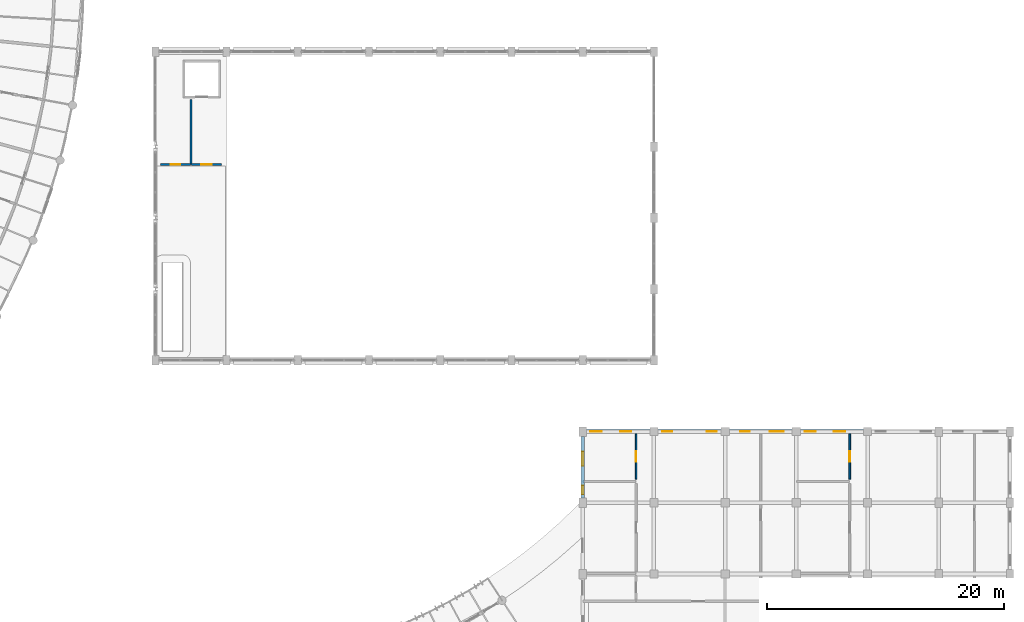
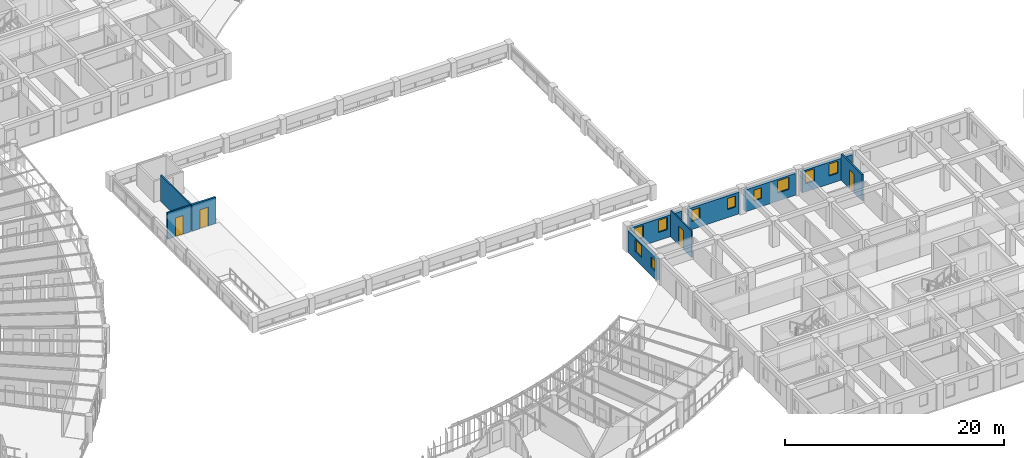
# One storey, part 98 of 137: 10 walls, 10 windows, 4 doors, 14 openings.
"""IFC4 building model written with IfcOpenShell, lengths in metres."""

import ifcopenshell
import ifcopenshell.guid

model = None  # the IFC model being written
_history = None  # IfcOwnerHistory: only IFC2X3 demands one
_inside = {}  # id of a spatial element -> (the spatial element, [elements in it])
_under = {}  # id of a project, library or spatial element -> (it, [spatial elements below it])
_declared = {}  # id of a project -> (the project, [libraries it declares])
_typed = {}  # id of a type object -> (the type object, [elements of that type])
_made_of = {}  # id of a material, layer set ... -> (it, [elements and type objects made of it])


def new_model(schema):
    """Start an empty IFC model of exactly this schema.

    Asked for "IFC4X3", IfcOpenShell would pick the latest addendum, in which some entities
    have other attributes; the version numbers below select the first issue.
    IFC2X3 requires an IfcOwnerHistory on every rooted entity: one is made here for all.
    """
    global model, _history
    if schema == "IFC4X3":
        model = ifcopenshell.file(schema_version=(4, 3, 0, 0))
    else:
        model = ifcopenshell.file(schema=schema)
    _inside.clear()
    _under.clear()
    _declared.clear()
    _typed.clear()
    _made_of.clear()
    _history = None
    if model.schema == "IFC2X3":
        org = make("IfcOrganization", Name="unknown")
        user = make(
            "IfcPersonAndOrganization",
            ThePerson=make("IfcPerson", FamilyName="unknown"),
            TheOrganization=org,
        )
        app = make(
            "IfcApplication",
            ApplicationDeveloper=org,
            Version="unknown",
            ApplicationFullName="unknown",
            ApplicationIdentifier="unknown",
        )
        _history = make(
            "IfcOwnerHistory",
            OwningUser=user,
            OwningApplication=app,
            ChangeAction="ADDED",
            CreationDate=0,
        )
    return model


def make(cls, **values):
    """One entity of the class cls with the attributes given. An attribute that is None is left unset."""
    return model.create_entity(
        cls, **{name: value for name, value in values.items() if value is not None}
    )


def rooted(cls, **values):
    """An entity with a GlobalId (a new one), such as an element, a storey or a relation."""
    return make(cls, GlobalId=ifcopenshell.guid.new(), OwnerHistory=_history, **values)


def si_unit(unit_type, name, prefix=None):
    """IfcSIUnit, for example si_unit("LENGTHUNIT", "METRE", prefix="MILLI")."""
    return make("IfcSIUnit", UnitType=unit_type, Prefix=prefix, Name=name)


def assignment(units):
    """IfcUnitAssignment: the units of a project."""
    return None if units is None else make("IfcUnitAssignment", Units=units)


def point(xyz):
    """IfcCartesianPoint."""
    return None if xyz is None else make("IfcCartesianPoint", Coordinates=xyz)


def direction(xyz):
    """IfcDirection."""
    return None if xyz is None else make("IfcDirection", DirectionRatios=xyz)


def frame(location, z_axis=None, x_axis=None):
    """IfcAxis2Placement3D, a coordinate frame: its origin and axes. An axis left out is left unset."""
    return make(
        "IfcAxis2Placement3D",
        Location=point(location),
        Axis=direction(z_axis),
        RefDirection=direction(x_axis),
    )


def frame_2d(location, x_axis=None):
    """IfcAxis2Placement2D, a coordinate frame in the plane: its origin and x axis."""
    return make(
        "IfcAxis2Placement2D", Location=point(location), RefDirection=direction(x_axis)
    )


def origin():
    """The frame at (0, 0, 0) with its axes left unset."""
    return frame((0.0, 0.0, 0.0))


def place(relative_to, where):
    """IfcLocalPlacement: puts the frame where relative to a parent placement (None: the world)."""
    return make(
        "IfcLocalPlacement", PlacementRelTo=relative_to, RelativePlacement=where
    )


def context(
    kind, dimensions, precision=None, world=None, true_north=None, identifier=None
):
    """IfcGeometricRepresentationContext, for example the 3D "Model" context."""
    return make(
        "IfcGeometricRepresentationContext",
        ContextIdentifier=identifier,
        ContextType=kind,
        CoordinateSpaceDimension=dimensions,
        Precision=precision,
        WorldCoordinateSystem=world,
        TrueNorth=true_north,
    )


def subcontext(parent, identifier, kind, view, scale=None):
    """IfcGeometricRepresentationSubContext, for example "Body" below "Model"."""
    return make(
        "IfcGeometricRepresentationSubContext",
        ContextIdentifier=identifier,
        ContextType=kind,
        ParentContext=parent,
        TargetScale=scale,
        TargetView=view,
    )


def project(units=None, contexts=None):
    """IfcProject with its units and contexts."""
    return rooted(
        "IfcProject",
        Name="project",
        RepresentationContexts=contexts,
        UnitsInContext=assignment(units),
    )


def spatial(cls, under=None, at=None, **own):
    """A site, building, storey or space (cls), placed at a placement, below another one or the project."""
    s = rooted(cls, ObjectPlacement=at, **own)
    if under is not None:
        _under.setdefault(under.id(), (under, []))[1].append(s)
    return s


def profile(cls, at=None, kind="AREA", **sizes):
    """A parametric profile (cls). Its sizes go by their IFC names, for example OverallWidth=200.0."""
    return make(cls, ProfileType=kind, Position=at, **sizes)


def rectangle(**sizes):
    """IfcRectangleProfileDef."""
    return profile("IfcRectangleProfileDef", **sizes)


def extrude(swept, where, along, depth):
    """IfcExtrudedAreaSolid: the profile swept, set in the frame where, extruded along a direction by depth."""
    return make(
        "IfcExtrudedAreaSolid",
        SweptArea=swept,
        Position=where,
        ExtrudedDirection=direction(along),
        Depth=depth,
    )


def shape(context_of_items, identifier, shape_type, items):
    """IfcShapeRepresentation: the items that make up one representation, for example the "Body"."""
    return make(
        "IfcShapeRepresentation",
        ContextOfItems=context_of_items,
        RepresentationIdentifier=identifier,
        RepresentationType=shape_type,
        Items=items,
    )


def material(Name=None, Category=None):
    """IfcMaterial."""
    return make("IfcMaterial", Name=Name, Category=Category)


def layer(
    of_material, thickness, ventilated=None, Name=None, Category=None, Priority=None
):
    """IfcMaterialLayer: one layer of a wall or slab, of a material (None: an air gap)."""
    return make(
        "IfcMaterialLayer",
        Material=of_material,
        LayerThickness=thickness,
        IsVentilated=ventilated,
        Name=Name,
        Category=Category,
        Priority=Priority,
    )


def layer_set(layers, Name=None):
    """IfcMaterialLayerSet."""
    return make("IfcMaterialLayerSet", MaterialLayers=layers, LayerSetName=Name)


def made_of(thing, what):
    """Note that an element or type object is made of a material, layer set ...; save() writes the relation."""
    if what is not None:
        _made_of.setdefault(what.id(), (what, []))[1].append(thing)
    return thing


def type_object(cls, material=None, **own):
    """A type object (cls), such as IfcWallType, which elements share."""
    return made_of(rooted(cls, **own), material)


def element(
    cls,
    number,
    at=None,
    inside=None,
    cuts=None,
    type_object=None,
    material=None,
    context=None,
    identifier="Body",
    shape_type=None,
    held_by="IfcProductDefinitionShape",
    body=None,
    shapes=None,
    **own,
):
    """One element of the class cls, such as IfcWall. Its Tag is "e" and its number.

    at: its placement. inside: the storey or other place that contains it. cuts: it is an
    opening in that element (IfcRelVoidsElement). A single representation is given by context,
    identifier, shape_type and body (its items); several are given by shapes. held_by: the class
    of the entity that holds the representations. save() writes the other relations.
    """
    e = rooted(cls, Tag="e%d" % number, ObjectPlacement=at, **own)
    if body is not None:
        shapes = [shape(context, identifier, shape_type, body)]
    if shapes is not None:
        e.Representation = make(held_by, Representations=shapes)
    if inside is not None:
        _inside.setdefault(inside.id(), (inside, []))[1].append(e)
    if cuts is not None:
        rooted(
            "IfcRelVoidsElement", RelatingBuildingElement=cuts, RelatedOpeningElement=e
        )
    if type_object is not None:
        _typed.setdefault(type_object.id(), (type_object, []))[1].append(e)
    return made_of(e, material)


def fill(opening, filler):
    """IfcRelFillsElement: the door or window that sits in an opening."""
    return rooted(
        "IfcRelFillsElement",
        RelatingOpeningElement=opening,
        RelatedBuildingElement=filler,
    )


def aggregate(whole, parts):
    """IfcRelAggregates: a whole, such as a stair, and the parts it consists of."""
    return rooted("IfcRelAggregates", RelatingObject=whole, RelatedObjects=parts)


def save(model, path):
    """Write the relations noted so far, then the file.

    IfcRelAggregates (storeys below a building ...), IfcRelContainedInSpatialStructure (elements
    in a storey), IfcRelDefinesByType, IfcRelAssociatesMaterial and IfcRelDeclares: one each for
    every whole, place, type object, material and project.
    """
    for whole, parts in _under.values():
        aggregate(whole, parts)
    for where, things in _inside.values():
        rooted(
            "IfcRelContainedInSpatialStructure",
            RelatedElements=things,
            RelatingStructure=where,
        )
    for kind, things in _typed.values():
        rooted("IfcRelDefinesByType", RelatedObjects=things, RelatingType=kind)
    for what, things in _made_of.values():
        rooted("IfcRelAssociatesMaterial", RelatedObjects=things, RelatingMaterial=what)
    for by, libraries in _declared.values():
        rooted("IfcRelDeclares", RelatingContext=by, RelatedDefinitions=libraries)
    model.write(path)


model = new_model("IFC4")

# Units and contexts
model_context = context("Model", 3, precision=1e-05, world=origin(), true_north=direction((0.0, 1.0)))
body_context = subcontext(model_context, "Body", "Model", "MODEL_VIEW")
ifc_project = project(units=[si_unit("LENGTHUNIT", "METRE"), si_unit("AREAUNIT", "SQUARE_METRE"), si_unit("VOLUMEUNIT", "CUBIC_METRE"), si_unit("PLANEANGLEUNIT", "RADIAN"), si_unit("MASSUNIT", "GRAM", prefix="KILO"), si_unit("POWERUNIT", "WATT"), si_unit("THERMODYNAMICTEMPERATUREUNIT", "KELVIN")], contexts=[model_context])

# Site, building, storey
site_placement = place(None, origin())
site = spatial("IfcSite", under=ifc_project, at=site_placement, CompositionType="ELEMENT")
building_placement = place(site_placement, origin())
building = spatial("IfcBuilding", under=site, at=building_placement, Name="Ruvembo Vaulted Housing Court", CompositionType="ELEMENT")
storey_placement = place(building_placement, frame((0.0, 0.0, 4.5)))
storey = spatial("IfcBuildingStorey", under=building, at=storey_placement, Name="L01", CompositionType="ELEMENT", Elevation=4.5)

# Wall, opening, door
ifc_material_1 = material(Name="Concrete Blockwork 190", Category="masonry")
ifc_layer_1 = layer(ifc_material_1, 0.18994140625, Name="Concrete Blockwork 190")
ifc_layer_set_1 = layer_set([ifc_layer_1], Name="Concrete Blockwork 190")
wall_type_1 = type_object("IfcWallType", Name="WL-CORR-190", PredefinedType="SOLIDWALL", material=ifc_layer_set_1)
wall_1_placement = place(storey_placement, frame((69.0400390625, 58.5, 0.0), z_axis=(0.0, 0.0, 1.0), x_axis=(1.0, 0.0, 0.0)))
wall_1 = element("IfcWall", 1, at=wall_1_placement, inside=storey, type_object=wall_type_1, Name="L01 Projection Booth WL-INT-L01-00158", PredefinedType="SOLIDWALL", context=body_context, shape_type="SweptSolid", body=[
    extrude(rectangle(XDim=2.52001953125, YDim=0.18994140625, at=frame_2d((1.260009765625, 0.0))), origin(), (0.0, 0.0, 1.0), 2.945068359375),
])
opening_1_placement = place(wall_1_placement, frame((0.81005859375, 0.0, 0.0)))
opening_1 = element("IfcOpeningElement", 2, at=opening_1_placement, cuts=wall_1, Name="Opening ID1", PredefinedType="OPENING", context=body_context, shape_type="SweptSolid", body=[
    extrude(rectangle(XDim=0.89990234375, YDim=2.10009765625, at=frame_2d((0.449951171875, 1.050048828125))), frame((0.0, 0.10498046875, 0.0), z_axis=(0.0, -1.0, 0.0), x_axis=(1.0, 0.0, 0.0)), (0.0, 0.0, 1.0), 0.2099609375),
])
ifc_material_2 = material(Name="FSC Hardwood and Engineered Timber", Category="wood")
door_type_1 = type_object("IfcDoorType", Name="DR-ROOM-0900x2100", OperationType="NOTDEFINED", PredefinedType="DOOR", material=ifc_material_2)
door_1_placement = place(opening_1_placement, origin())
door_1 = element("IfcDoor", 3, at=door_1_placement, inside=storey, type_object=door_type_1, Name="L01 Projection Booth Door DR-INT-L01-00076", OperationType="SINGLE_SWING_RIGHT", OverallHeight=2.10009765625, OverallWidth=0.89990234375, PredefinedType="DOOR", context=body_context, shape_type="SweptSolid", body=[
    extrude(rectangle(XDim=0.89990234375, YDim=2.10009765625, at=frame_2d((0.449951171875, 1.050048828125))), frame((0.0, 0.02490234375, 0.0), z_axis=(0.0, -1.0, 0.0), x_axis=(1.0, 0.0, 0.0)), (0.0, 0.0, 1.0), 0.050048828125),
])
fill(opening_1, door_1)

# Wall, openings, windows
ifc_material_3 = material(Name="Rendered Masonry 320", Category="masonry")
ifc_layer_2 = layer(ifc_material_3, 0.320068359375, Name="Rendered Masonry 320")
ifc_layer_set_2 = layer_set([ifc_layer_2], Name="Rendered Masonry 320")
wall_type_2 = type_object("IfcWallType", Name="WL-EXT-320", PredefinedType="STANDARD", material=ifc_layer_set_2)
wall_2_placement = place(storey_placement, frame((125.64990234375, 36.0, 0.0), z_axis=(0.0, 0.0, 1.0), x_axis=(-1.0, 0.0, 0.0)))
wall_2 = element("IfcWall", 4, at=wall_2_placement, inside=storey, type_object=wall_type_2, Name="Block C L01 Exterior Wall COURTYARD #3", PredefinedType="STANDARD", context=body_context, shape_type="SweptSolid", body=[
    extrude(rectangle(XDim=5.2998046875, YDim=0.320068359375, at=frame_2d((2.64990234375, 0.0))), origin(), (0.0, 0.0, 1.0), 2.427001953125),
])
opening_2_placement = place(wall_2_placement, frame((1.5400390625, 0.0, 0.89990234375)))
opening_2 = element("IfcOpeningElement", 5, at=opening_2_placement, cuts=wall_2, Name="Opening W07", PredefinedType="OPENING", context=body_context, shape_type="SweptSolid", body=[
    extrude(rectangle(XDim=0.949951171875, YDim=1.35009765625, at=frame_2d((0.47509765625, 0.675048828125))), frame((0.0, 0.169921875, 0.0), z_axis=(0.0, -1.0, 0.0), x_axis=(1.0, 0.0, 0.0)), (0.0, 0.0, 1.0), 0.340087890625),
])
opening_3_placement = place(wall_2_placement, frame((4.0, 0.0, 0.89990234375)))
opening_3 = element("IfcOpeningElement", 6, at=opening_3_placement, cuts=wall_2, Name="Opening W07", PredefinedType="OPENING", context=body_context, shape_type="SweptSolid", body=[
    extrude(rectangle(XDim=0.949951171875, YDim=1.35009765625, at=frame_2d((0.47509765625, 0.675048828125))), frame((0.0, 0.169921875, 0.0), z_axis=(0.0, -1.0, 0.0), x_axis=(1.0, 0.0, 0.0)), (0.0, 0.0, 1.0), 0.340087890625),
])
ifc_material_4 = material(Name="Double Solar-Control Glazing in Aluminium Frame", Category="aluminium")
window_type_1 = type_object("IfcWindowType", Name="WIN-0950x1350", PartitioningType="SINGLE_PANEL", PredefinedType="WINDOW", material=ifc_material_4)
window_1_placement = place(opening_2_placement, origin())
window_1 = element("IfcWindow", 7, at=window_1_placement, inside=storey, type_object=window_type_1, Name="Block C L01 Window #1137", OverallHeight=1.35009765625, OverallWidth=0.949951171875, PartitioningType="SINGLE_PANEL", PredefinedType="WINDOW", context=body_context, shape_type="SweptSolid", body=[
    extrude(rectangle(XDim=0.949951171875, YDim=1.35009765625, at=frame_2d((0.47509765625, 0.675048828125))), frame((0.0, 0.030029296875, 0.0), z_axis=(0.0, -1.0, 0.0), x_axis=(1.0, 0.0, 0.0)), (0.0, 0.0, 1.0), 0.06005859375),
])
fill(opening_2, window_1)
window_2_placement = place(opening_3_placement, origin())
window_2 = element("IfcWindow", 8, at=window_2_placement, inside=storey, type_object=window_type_1, Name="Block C L01 Window #1138", OverallHeight=1.35009765625, OverallWidth=0.949951171875, PartitioningType="SINGLE_PANEL", PredefinedType="WINDOW", context=body_context, shape_type="SweptSolid", body=[
    extrude(rectangle(XDim=0.949951171875, YDim=1.35009765625, at=frame_2d((0.47509765625, 0.675048828125))), frame((0.0, 0.030029296875, 0.0), z_axis=(0.0, -1.0, 0.0), x_axis=(1.0, 0.0, 0.0)), (0.0, 0.0, 1.0), 0.06005859375),
])
fill(opening_3, window_2)

wall_3_placement = place(storey_placement, frame((119.64990234375, 36.0, 0.0), z_axis=(0.0, 0.0, 1.0), x_axis=(-1.0, 0.0, 0.0)))
wall_3 = element("IfcWall", 9, at=wall_3_placement, inside=storey, type_object=wall_type_2, Name="Block C L01 Exterior Wall COURTYARD #4", PredefinedType="STANDARD", context=body_context, shape_type="SweptSolid", body=[
    extrude(rectangle(XDim=5.2998046875, YDim=0.320068359375, at=frame_2d((2.64990234375, 0.0))), origin(), (0.0, 0.0, 1.0), 2.427001953125),
])
opening_4_placement = place(wall_3_placement, frame((0.705078125, 0.0, 0.89990234375)))
opening_4 = element("IfcOpeningElement", 10, at=opening_4_placement, cuts=wall_3, Name="Opening W12", PredefinedType="OPENING", context=body_context, shape_type="SweptSolid", body=[
    extrude(rectangle(XDim=1.199951171875, YDim=1.35009765625, at=frame_2d((0.60009765625, 0.675048828125))), frame((0.0, 0.169921875, 0.0), z_axis=(0.0, -1.0, 0.0), x_axis=(1.0, 0.0, 0.0)), (0.0, 0.0, 1.0), 0.340087890625),
])
opening_5_placement = place(wall_3_placement, frame((3.594970703125, 0.0, 0.89990234375)))
opening_5 = element("IfcOpeningElement", 11, at=opening_5_placement, cuts=wall_3, Name="Opening W02", PredefinedType="OPENING", context=body_context, shape_type="SweptSolid", body=[
    extrude(rectangle(XDim=0.800048828125, YDim=1.199951171875, at=frame_2d((0.39990234375, 0.60009765625))), frame((0.0, 0.169921875, 0.0), z_axis=(0.0, -1.0, 0.0), x_axis=(1.0, 0.0, 0.0)), (0.0, 0.0, 1.0), 0.340087890625),
])
window_type_2 = type_object("IfcWindowType", Name="WIN-0800x1200", PartitioningType="SINGLE_PANEL", PredefinedType="WINDOW", material=ifc_material_4)
window_3_placement = place(opening_5_placement, origin())
window_3 = element("IfcWindow", 12, at=window_3_placement, inside=storey, type_object=window_type_2, Name="Block C L01 Window #1140", OverallHeight=1.199951171875, OverallWidth=0.800048828125, PartitioningType="SINGLE_PANEL", PredefinedType="WINDOW", context=body_context, shape_type="SweptSolid", body=[
    extrude(rectangle(XDim=0.800048828125, YDim=1.199951171875, at=frame_2d((0.39990234375, 0.60009765625))), frame((0.0, 0.030029296875, 0.0), z_axis=(0.0, -1.0, 0.0), x_axis=(1.0, 0.0, 0.0)), (0.0, 0.0, 1.0), 0.06005859375),
])
fill(opening_5, window_3)
window_type_3 = type_object("IfcWindowType", Name="WIN-1200x1350", PartitioningType="SINGLE_PANEL", PredefinedType="WINDOW", material=ifc_material_4)
window_4_placement = place(opening_4_placement, origin())
window_4 = element("IfcWindow", 13, at=window_4_placement, inside=storey, type_object=window_type_3, Name="Block C L01 Window #1139", OverallHeight=1.35009765625, OverallWidth=1.199951171875, PartitioningType="SINGLE_PANEL", PredefinedType="WINDOW", context=body_context, shape_type="SweptSolid", body=[
    extrude(rectangle(XDim=1.199951171875, YDim=1.35009765625, at=frame_2d((0.60009765625, 0.675048828125))), frame((0.0, 0.030029296875, 0.0), z_axis=(0.0, -1.0, 0.0), x_axis=(1.0, 0.0, 0.0)), (0.0, 0.0, 1.0), 0.06005859375),
])
fill(opening_4, window_4)

wall_4_placement = place(storey_placement, frame((113.64990234375, 36.0, 0.0), z_axis=(0.0, 0.0, 1.0), x_axis=(-1.0, 0.0, 0.0)))
wall_4 = element("IfcWall", 14, at=wall_4_placement, inside=storey, type_object=wall_type_2, Name="Block C L01 Exterior Wall COURTYARD #5", PredefinedType="STANDARD", context=body_context, shape_type="SweptSolid", body=[
    extrude(rectangle(XDim=5.2998046875, YDim=0.320068359375, at=frame_2d((2.64990234375, 0.0))), origin(), (0.0, 0.0, 1.0), 2.427001953125),
])
opening_6_placement = place(wall_4_placement, frame((0.35009765625, 0.0, 0.89990234375)))
opening_6 = element("IfcOpeningElement", 15, at=opening_6_placement, cuts=wall_4, Name="Opening W03", PredefinedType="OPENING", context=body_context, shape_type="SweptSolid", body=[
    extrude(rectangle(XDim=0.85009765625, YDim=1.25, at=frame_2d((0.425048828125, 0.625))), frame((0.0, 0.169921875, 0.0), z_axis=(0.0, -1.0, 0.0), x_axis=(1.0, 0.0, 0.0)), (0.0, 0.0, 1.0), 0.340087890625),
])
opening_7_placement = place(wall_4_placement, frame((4.10009765625, 0.0, 0.89990234375)))
opening_7 = element("IfcOpeningElement", 16, at=opening_7_placement, cuts=wall_4, Name="Opening W03", PredefinedType="OPENING", context=body_context, shape_type="SweptSolid", body=[
    extrude(rectangle(XDim=0.85009765625, YDim=1.25, at=frame_2d((0.425048828125, 0.625))), frame((0.0, 0.169921875, 0.0), z_axis=(0.0, -1.0, 0.0), x_axis=(1.0, 0.0, 0.0)), (0.0, 0.0, 1.0), 0.340087890625),
])
window_type_4 = type_object("IfcWindowType", Name="WIN-0850x1250", PartitioningType="SINGLE_PANEL", PredefinedType="WINDOW", material=ifc_material_4)
window_5_placement = place(opening_6_placement, origin())
window_5 = element("IfcWindow", 17, at=window_5_placement, inside=storey, type_object=window_type_4, Name="Block C L01 Window #1141", OverallHeight=1.25, OverallWidth=0.85009765625, PartitioningType="SINGLE_PANEL", PredefinedType="WINDOW", context=body_context, shape_type="SweptSolid", body=[
    extrude(rectangle(XDim=0.85009765625, YDim=1.25, at=frame_2d((0.425048828125, 0.625))), frame((0.0, 0.030029296875, 0.0), z_axis=(0.0, -1.0, 0.0), x_axis=(1.0, 0.0, 0.0)), (0.0, 0.0, 1.0), 0.06005859375),
])
fill(opening_6, window_5)
window_6_placement = place(opening_7_placement, origin())
window_6 = element("IfcWindow", 18, at=window_6_placement, inside=storey, type_object=window_type_4, Name="Block C L01 Window #1142", OverallHeight=1.25, OverallWidth=0.85009765625, PartitioningType="SINGLE_PANEL", PredefinedType="WINDOW", context=body_context, shape_type="SweptSolid", body=[
    extrude(rectangle(XDim=0.85009765625, YDim=1.25, at=frame_2d((0.425048828125, 0.625))), frame((0.0, 0.030029296875, 0.0), z_axis=(0.0, -1.0, 0.0), x_axis=(1.0, 0.0, 0.0)), (0.0, 0.0, 1.0), 0.06005859375),
])
fill(opening_7, window_6)

wall_5_placement = place(storey_placement, frame((107.64990234375, 36.0, 0.0), z_axis=(0.0, 0.0, 1.0), x_axis=(-1.0, 0.0, 0.0)))
wall_5 = element("IfcWall", 19, at=wall_5_placement, inside=storey, type_object=wall_type_2, Name="Block C L01 Exterior Wall COURTYARD #6", PredefinedType="STANDARD", context=body_context, shape_type="SweptSolid", body=[
    extrude(rectangle(XDim=5.349853515625, YDim=0.320068359375, at=frame_2d((2.6748046875, 0.0))), origin(), (0.0, 0.0, 1.0), 2.427001953125),
])
opening_8_placement = place(wall_5_placement, frame((1.5400390625, 0.0, 0.89990234375)))
opening_8 = element("IfcOpeningElement", 20, at=opening_8_placement, cuts=wall_5, Name="Opening W07", PredefinedType="OPENING", context=body_context, shape_type="SweptSolid", body=[
    extrude(rectangle(XDim=0.949951171875, YDim=1.35009765625, at=frame_2d((0.47509765625, 0.675048828125))), frame((0.0, 0.169921875, 0.0), z_axis=(0.0, -1.0, 0.0), x_axis=(1.0, 0.0, 0.0)), (0.0, 0.0, 1.0), 0.340087890625),
])
opening_9_placement = place(wall_5_placement, frame((4.050048828125, 0.0, 0.89990234375)))
opening_9 = element("IfcOpeningElement", 21, at=opening_9_placement, cuts=wall_5, Name="Opening W07", PredefinedType="OPENING", context=body_context, shape_type="SweptSolid", body=[
    extrude(rectangle(XDim=0.949951171875, YDim=1.35009765625, at=frame_2d((0.47509765625, 0.675048828125))), frame((0.0, 0.169921875, 0.0), z_axis=(0.0, -1.0, 0.0), x_axis=(1.0, 0.0, 0.0)), (0.0, 0.0, 1.0), 0.340087890625),
])
window_7_placement = place(opening_8_placement, origin())
window_7 = element("IfcWindow", 22, at=window_7_placement, inside=storey, type_object=window_type_1, Name="Block C L01 Window #1143", OverallHeight=1.35009765625, OverallWidth=0.949951171875, PartitioningType="SINGLE_PANEL", PredefinedType="WINDOW", context=body_context, shape_type="SweptSolid", body=[
    extrude(rectangle(XDim=0.949951171875, YDim=1.35009765625, at=frame_2d((0.47509765625, 0.675048828125))), frame((0.0, 0.030029296875, 0.0), z_axis=(0.0, -1.0, 0.0), x_axis=(1.0, 0.0, 0.0)), (0.0, 0.0, 1.0), 0.06005859375),
])
fill(opening_8, window_7)
window_8_placement = place(opening_9_placement, origin())
window_8 = element("IfcWindow", 23, at=window_8_placement, inside=storey, type_object=window_type_1, Name="Block C L01 Window #1144", OverallHeight=1.35009765625, OverallWidth=0.949951171875, PartitioningType="SINGLE_PANEL", PredefinedType="WINDOW", context=body_context, shape_type="SweptSolid", body=[
    extrude(rectangle(XDim=0.949951171875, YDim=1.35009765625, at=frame_2d((0.47509765625, 0.675048828125))), frame((0.0, 0.030029296875, 0.0), z_axis=(0.0, -1.0, 0.0), x_axis=(1.0, 0.0, 0.0)), (0.0, 0.0, 1.0), 0.06005859375),
])
fill(opening_9, window_8)

wall_6_placement = place(storey_placement, frame((102.0, 35.60009765625, 0.0), z_axis=(0.0, 0.0, 1.0), x_axis=(0.0, -1.0, 0.0)))
wall_6 = element("IfcWall", 24, at=wall_6_placement, inside=storey, type_object=wall_type_2, Name="Block C L01 Exterior Wall WEST #1", PredefinedType="STANDARD", context=body_context, shape_type="SweptSolid", body=[
    extrude(rectangle(XDim=5.2001953125, YDim=0.320068359375, at=frame_2d((2.60009765625, 0.0))), origin(), (0.0, 0.0, 1.0), 2.427001953125),
])
opening_10_placement = place(wall_6_placement, frame((1.280029296875, 0.0, 0.89990234375)))
opening_10 = element("IfcOpeningElement", 25, at=opening_10_placement, cuts=wall_6, Name="Opening W12", PredefinedType="OPENING", context=body_context, shape_type="SweptSolid", body=[
    extrude(rectangle(XDim=1.199951171875, YDim=1.35009765625, at=frame_2d((0.60009765625, 0.675048828125))), frame((0.0, 0.169921875, 0.0), z_axis=(0.0, -1.0, 0.0), x_axis=(1.0, 0.0, 0.0)), (0.0, 0.0, 1.0), 0.340087890625),
])
opening_11_placement = place(wall_6_placement, frame((4.14501953125, 0.0, 0.89990234375)))
opening_11 = element("IfcOpeningElement", 26, at=opening_11_placement, cuts=wall_6, Name="Opening W01", PredefinedType="OPENING", context=body_context, shape_type="SweptSolid", body=[
    extrude(rectangle(XDim=0.75, YDim=1.14990234375, at=frame_2d((0.375, 0.574951171875))), frame((0.0, 0.169921875, 0.0), z_axis=(0.0, -1.0, 0.0), x_axis=(1.0, 0.0, 0.0)), (0.0, 0.0, 1.0), 0.340087890625),
])
window_type_5 = type_object("IfcWindowType", Name="WIN-0750x1150", PartitioningType="SINGLE_PANEL", PredefinedType="WINDOW", material=ifc_material_4)
window_9_placement = place(opening_11_placement, origin())
window_9 = element("IfcWindow", 27, at=window_9_placement, inside=storey, type_object=window_type_5, Name="Block C L01 Window #1146", OverallHeight=1.14990234375, OverallWidth=0.75, PartitioningType="SINGLE_PANEL", PredefinedType="WINDOW", context=body_context, shape_type="SweptSolid", body=[
    extrude(rectangle(XDim=0.75, YDim=1.14990234375, at=frame_2d((0.375, 0.574951171875))), frame((0.0, 0.030029296875, 0.0), z_axis=(0.0, -1.0, 0.0), x_axis=(1.0, 0.0, 0.0)), (0.0, 0.0, 1.0), 0.06005859375),
])
fill(opening_11, window_9)
window_10_placement = place(opening_10_placement, origin())
window_10 = element("IfcWindow", 28, at=window_10_placement, inside=storey, type_object=window_type_3, Name="Block C L01 Window #1145", OverallHeight=1.35009765625, OverallWidth=1.199951171875, PartitioningType="SINGLE_PANEL", PredefinedType="WINDOW", context=body_context, shape_type="SweptSolid", body=[
    extrude(rectangle(XDim=1.199951171875, YDim=1.35009765625, at=frame_2d((0.60009765625, 0.675048828125))), frame((0.0, 0.030029296875, 0.0), z_axis=(0.0, -1.0, 0.0), x_axis=(1.0, 0.0, 0.0)), (0.0, 0.0, 1.0), 0.06005859375),
])
fill(opening_10, window_10)

# Wall, opening, door
ifc_material_5 = material(Name="Acoustic Stud Partition 135", Category="gypsum")
ifc_layer_3 = layer(ifc_material_5, 0.135009765625, Name="Acoustic Stud Partition 135")
ifc_layer_set_3 = layer_set([ifc_layer_3], Name="Acoustic Stud Partition 135")
wall_type_3 = type_object("IfcWallType", Name="WL-PART-135", PredefinedType="PARTITIONING", material=ifc_layer_set_3)
wall_7_placement = place(storey_placement, frame((106.5, 31.989990234375, 0.0), z_axis=(0.0, 0.0, 1.0), x_axis=(0.0, 1.0, 0.0)))
wall_7 = element("IfcWall", 29, at=wall_7_placement, inside=storey, type_object=wall_type_3, Name="L01 Flat C-L01-N1 Bedroom 1 WL-INT-L01-00306", PredefinedType="PARTITIONING", context=body_context, shape_type="SweptSolid", body=[
    extrude(rectangle(XDim=3.820068359375, YDim=0.135009765625, at=frame_2d((1.91015625, 0.0))), origin(), (0.0, 0.0, 1.0), 2.945068359375),
])
opening_12_placement = place(wall_7_placement, frame((1.4599609375, 0.0, 0.0)))
opening_12 = element("IfcOpeningElement", 30, at=opening_12_placement, cuts=wall_7, Name="Opening ID1", PredefinedType="OPENING", context=body_context, shape_type="SweptSolid", body=[
    extrude(rectangle(XDim=0.89990234375, YDim=2.10009765625, at=frame_2d((0.449951171875, 1.050048828125))), frame((0.0, 0.077392578125, 0.0), z_axis=(0.0, -1.0, 0.0), x_axis=(1.0, 0.0, 0.0)), (0.0, 0.0, 1.0), 0.155029296875),
])
door_2_placement = place(opening_12_placement, origin())
door_2 = element("IfcDoor", 31, at=door_2_placement, inside=storey, type_object=door_type_1, Name="L01 Flat C-L01-N1 Bedroom 1 Door DR-INT-L01-00154", OperationType="SINGLE_SWING_RIGHT", OverallHeight=2.10009765625, OverallWidth=0.89990234375, PredefinedType="DOOR", context=body_context, shape_type="SweptSolid", body=[
    extrude(rectangle(XDim=0.89990234375, YDim=2.10009765625, at=frame_2d((0.449951171875, 1.050048828125))), frame((0.0, 0.02490234375, 0.0), z_axis=(0.0, -1.0, 0.0), x_axis=(1.0, 0.0, 0.0)), (0.0, 0.0, 1.0), 0.050048828125),
])
fill(opening_12, door_2)

wall_8_placement = place(storey_placement, frame((124.5, 31.989990234375, 0.0), z_axis=(0.0, 0.0, 1.0), x_axis=(0.0, 1.0, 0.0)))
wall_8 = element("IfcWall", 32, at=wall_8_placement, inside=storey, type_object=wall_type_3, Name="L01 Flat C-L01-N2 Bedroom 1 WL-INT-L01-00315", PredefinedType="PARTITIONING", context=body_context, shape_type="SweptSolid", body=[
    extrude(rectangle(XDim=3.820068359375, YDim=0.135009765625, at=frame_2d((1.91015625, 0.0))), origin(), (0.0, 0.0, 1.0), 2.945068359375),
])
opening_13_placement = place(wall_8_placement, frame((1.469970703125, 0.0, 0.0)))
opening_13 = element("IfcOpeningElement", 33, at=opening_13_placement, cuts=wall_8, Name="Opening ID3", PredefinedType="OPENING", context=body_context, shape_type="SweptSolid", body=[
    extrude(rectangle(XDim=0.8798828125, YDim=2.10009765625, at=frame_2d((0.43994140625, 1.050048828125))), frame((0.0, 0.077392578125, 0.0), z_axis=(0.0, -1.0, 0.0), x_axis=(1.0, 0.0, 0.0)), (0.0, 0.0, 1.0), 0.155029296875),
])
door_type_2 = type_object("IfcDoorType", Name="DR-ROOM-0880x2100", OperationType="NOTDEFINED", PredefinedType="DOOR", material=ifc_material_2)
door_3_placement = place(opening_13_placement, origin())
door_3 = element("IfcDoor", 34, at=door_3_placement, inside=storey, type_object=door_type_2, Name="L01 Flat C-L01-N2 Bedroom 1 Door DR-INT-L01-00159", OperationType="SINGLE_SWING_LEFT", OverallHeight=2.10009765625, OverallWidth=0.8798828125, PredefinedType="DOOR", context=body_context, shape_type="SweptSolid", body=[
    extrude(rectangle(XDim=0.8798828125, YDim=2.10009765625, at=frame_2d((0.43994140625, 1.050048828125))), frame((0.0, 0.02490234375, 0.0), z_axis=(0.0, -1.0, 0.0), x_axis=(1.0, 0.0, 0.0)), (0.0, 0.0, 1.0), 0.050048828125),
])
fill(opening_13, door_3)

ifc_material_6 = material(Name="Moisture-Resistant Wet Partition 150", Category="gypsum")
ifc_layer_4 = layer(ifc_material_6, 0.14990234375, Name="Moisture-Resistant Wet Partition 150")
ifc_layer_set_4 = layer_set([ifc_layer_4], Name="Moisture-Resistant Wet Partition 150")
wall_type_4 = type_object("IfcWallType", Name="WL-PART-150", PredefinedType="PARTITIONING", material=ifc_layer_set_4)
wall_9_placement = place(storey_placement, frame((66.43994140625, 58.5, 0.0), z_axis=(0.0, 0.0, 1.0), x_axis=(1.0, 0.0, 0.0)))
wall_9 = element("IfcWall", 35, at=wall_9_placement, inside=storey, type_object=wall_type_4, Name="L01 Mezzanine WC WL-INT-L01-00157", PredefinedType="PARTITIONING", context=body_context, shape_type="SweptSolid", body=[
    extrude(rectangle(XDim=2.52001953125, YDim=0.14990234375, at=frame_2d((1.260009765625, 0.0))), origin(), (0.0, 0.0, 1.0), 2.945068359375),
])
opening_14_placement = place(wall_9_placement, frame((0.85009765625, 0.0, 0.0)))
opening_14 = element("IfcOpeningElement", 36, at=opening_14_placement, cuts=wall_9, Name="Opening ID4", PredefinedType="OPENING", context=body_context, shape_type="SweptSolid", body=[
    extrude(rectangle(XDim=0.820068359375, YDim=2.080078125, at=frame_2d((0.41015625, 1.0400390625))), frame((0.0, 0.0849609375, 0.0), z_axis=(0.0, -1.0, 0.0), x_axis=(1.0, 0.0, 0.0)), (0.0, 0.0, 1.0), 0.169921875),
])
door_type_3 = type_object("IfcDoorType", Name="DR-WET-0820x2080", OperationType="NOTDEFINED", PredefinedType="DOOR", material=ifc_material_2)
door_4_placement = place(opening_14_placement, origin())
door_4 = element("IfcDoor", 37, at=door_4_placement, inside=storey, type_object=door_type_3, Name="L01 Mezzanine WC Door DR-INT-L01-00075", OperationType="SINGLE_SWING_LEFT", OverallHeight=2.080078125, OverallWidth=0.820068359375, PredefinedType="DOOR", context=body_context, shape_type="SweptSolid", body=[
    extrude(rectangle(XDim=0.820068359375, YDim=2.080078125, at=frame_2d((0.41015625, 1.0400390625))), frame((0.0, 0.02490234375, 0.0), z_axis=(0.0, -1.0, 0.0), x_axis=(1.0, 0.0, 0.0)), (0.0, 0.0, 1.0), 0.050048828125),
])
fill(opening_14, door_4)

# Wall
wall_10_placement = place(storey_placement, frame((69.0, 58.5400390625, 0.0), z_axis=(0.0, 0.0, 1.0), x_axis=(0.0, 1.0, 0.0)))
element("IfcWall", 38, at=wall_10_placement, inside=storey, type_object=wall_type_4, Name="L01 Mezzanine Booth Divider WL-INT-L01-00159", PredefinedType="PARTITIONING", context=body_context, shape_type="SweptSolid", body=[
    extrude(rectangle(XDim=5.419921875, YDim=0.14990234375, at=frame_2d((2.7099609375, 0.0))), origin(), (0.0, 0.0, 1.0), 2.945068359375),
])

save(model, "model.ifc")
